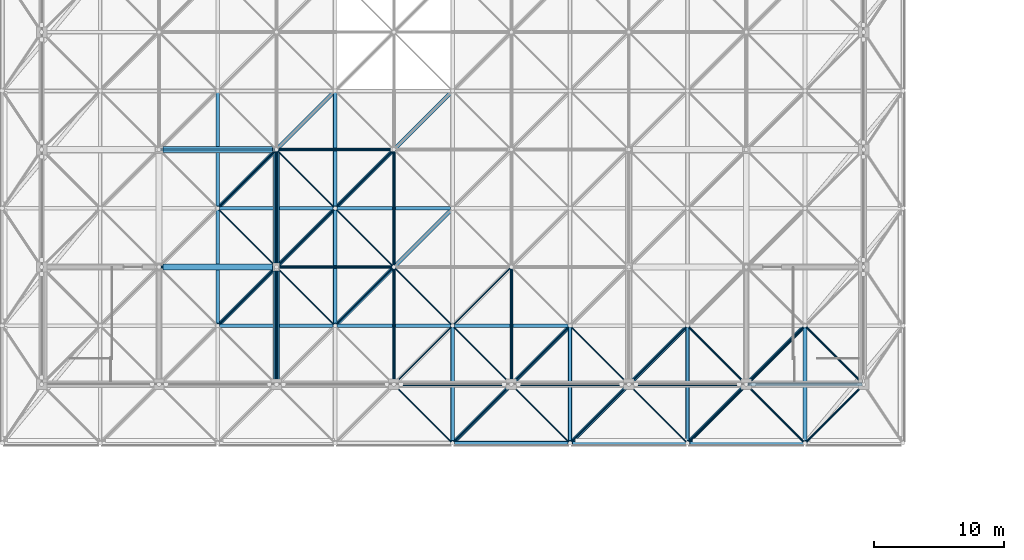
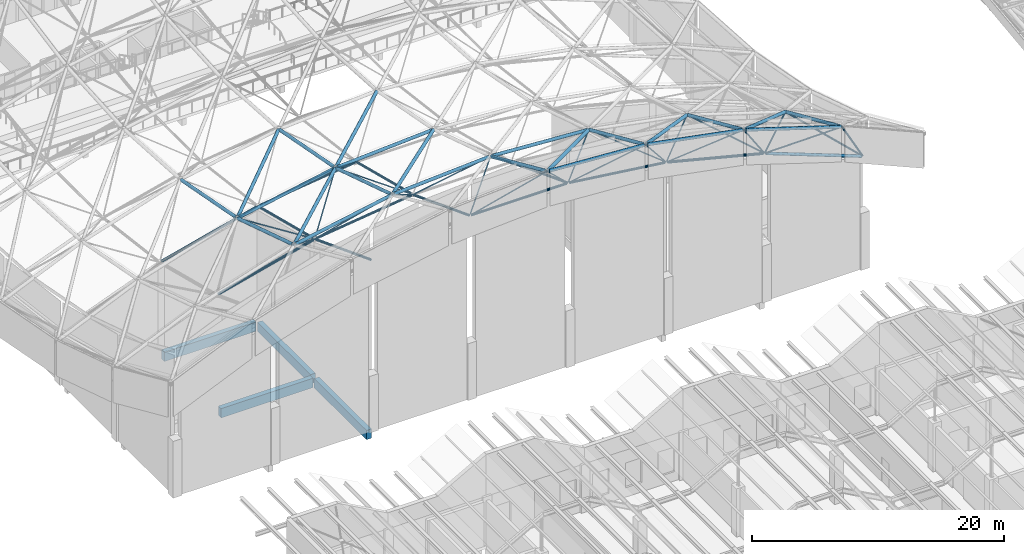
# One storey, part 71 of 437: 63 members, 4 beams.
"""IFC4 building model written with IfcOpenShell, lengths in metres."""

from ifc_helpers import new_model, si_unit, direction, frame, origin, origin_2d, place, context, subcontext, project, spatial, rectangle, hollow_circle, extrude, material, material_profile, profile_set, type_object, element, save


model = new_model("IFC4")

# Units and contexts
model_context = context("Model", 3, precision=1e-05, world=origin(), true_north=direction((0.0, 1.0)))
body_context = subcontext(model_context, "Body", "Model", "MODEL_VIEW")
ifc_project = project(units=[si_unit("LENGTHUNIT", "METRE"), si_unit("AREAUNIT", "SQUARE_METRE"), si_unit("VOLUMEUNIT", "CUBIC_METRE"), si_unit("PLANEANGLEUNIT", "RADIAN"), si_unit("MASSUNIT", "GRAM", prefix="KILO")], contexts=[model_context])

# Site, building, storey
site_placement = place(None, origin())
site = spatial("IfcSite", under=ifc_project, at=site_placement, CompositionType="ELEMENT")
building_placement = place(site_placement, origin())
building = spatial("IfcBuilding", under=site, at=building_placement, Name="Opaline Strait Convention Centre", CompositionType="ELEMENT")
storey_placement = place(building_placement, frame((0.0, 0.0, 11.5)))
storey = spatial("IfcBuildingStorey", under=building, at=storey_placement, Name="L02", CompositionType="ELEMENT", Elevation=11.5)

# Beams
ifc_material_1 = material(Name="Concrete C35", Category="concrete")
ifc_material_profile_1 = material_profile(ifc_material_1, rectangle(XDim=0.449951171875, YDim=0.89990234375, at=origin_2d()), Name="RC 450x900")
ifc_profile_set_1 = profile_set([ifc_material_profile_1], Name="Concrete C35")
beam_type = type_object("IfcBeamType", Name="RC floor beam 450x900 C35", PredefinedType="BEAM", material=ifc_profile_set_1)
beam_1_placement = place(storey_placement, frame((18.300048828125, 126.0, -0.72998046875), z_axis=(1.0, 0.0, 0.0), x_axis=(0.0, 1.0, 0.0)))
element("IfcBeam", 1, at=beam_1_placement, inside=storey, type_object=beam_type, Name="PFB1 L02 beam 3/Q-4/Q", PredefinedType="BEAM", context=body_context, shape_type="SweptSolid", body=[
    extrude(rectangle(XDim=0.449951171875, YDim=0.89990234375, at=origin_2d()), origin(), (0.0, 0.0, 1.0), 8.39990234375),
])
beam_2_placement = place(storey_placement, frame((27.0, 117.39990234375, -0.72998046875), z_axis=(0.0, 1.0, 0.0), x_axis=(-1.0, 0.0, 0.0)))
element("IfcBeam", 2, at=beam_2_placement, inside=storey, type_object=beam_type, Name="PFB1 L02 beam 4/P-4/Q", PredefinedType="BEAM", context=body_context, shape_type="SweptSolid", body=[
    extrude(rectangle(XDim=0.449951171875, YDim=0.89990234375, at=origin_2d()), origin(), (0.0, 0.0, 1.0), 8.300048828125),
])
for number, where, z_axis, x_axis, name in (
    (3, (27.0, 126.300048828125, -0.72998046875), (0.0, 1.0, 0.0), (-1.0, 0.0, 0.0), "PFB1 L02 beam 4/Q-4/R"),
    (4, (18.300048828125, 135.0, -0.72998046875), (1.0, 0.0, 0.0), (0.0, 1.0, 0.0), "PFB1 L02 beam 3/R-4/R"),
):
    element("IfcBeam", number, at=place(storey_placement, frame(where, z_axis=z_axis, x_axis=x_axis)), inside=storey, type_object=beam_type, Name=name, PredefinedType="BEAM", context=body_context, shape_type="SweptSolid", body=[
        extrude(rectangle(XDim=0.449951171875, YDim=0.89990234375, at=origin_2d()), origin(), (0.0, 0.0, 1.0), 8.39990234375),
    ])

# Members
ifc_material_2 = material(Name="Steel Q355B", Category="steel")
ifc_material_profile_2 = material_profile(ifc_material_2, hollow_circle(Radius=0.109619140625, WallThickness=0.008056640625, at=origin_2d()), Name="CHS 219x8")
ifc_profile_set_2 = profile_set([ifc_material_profile_2], Name="Steel Q355B")
member_type_1 = type_object("IfcMemberType", Name="Shell truss bottom chord CHS 219x8", PredefinedType="CHORD", material=ifc_profile_set_2)
member_1_placement = place(storey_placement, frame((36.14990234375, 117.0, 17.552001953125), z_axis=(1.0, 0.0, 0.0), x_axis=(0.0, 1.0, 0.0)))
element("IfcMember", 5, at=member_1_placement, inside=storey, type_object=member_type_1, Name="PBC3 bottom chord X4-1", PredefinedType="CHORD", context=body_context, shape_type="SweptSolid", body=[
    extrude(hollow_circle(Radius=0.109619140625, WallThickness=0.008056640625, at=origin_2d()), origin(), (0.0, 0.0, 1.0), 8.7001953125),
])
for number, where, z_axis, x_axis, name in (
    (6, (45.14990234375, 117.0, 17.533203125), (0.992030967972, 0.0, -0.125994279971), (0.0, 1.0, 0.0), "PBC3 bottom chord X5-1"),
    (7, (27.14990234375, 126.0, 12.999755859375), (0.992034447069, 0.0, 0.125966883853), (0.0, 1.0, 0.0), "PBC3 bottom chord X3-2"),
    (8, (27.14990234375, 135.0, 10.714111328125), (0.992034447069, 0.0, 0.125966883853), (0.0, 1.0, 0.0), "PBC3 bottom chord X3-3"),
):
    element("IfcMember", number, at=place(storey_placement, frame(where, z_axis=z_axis, x_axis=x_axis)), inside=storey, type_object=member_type_1, Name=name, PredefinedType="CHORD", context=body_context, shape_type="SweptSolid", body=[
        extrude(hollow_circle(Radius=0.109619140625, WallThickness=0.008056640625, at=origin_2d()), origin(), (0.0, 0.0, 1.0), 8.77001953125),
    ])
member_2_placement = place(storey_placement, frame((27.0, 117.14990234375, 16.35205078125), z_axis=(0.0, 0.934493135261, -0.355981151397), x_axis=(-1.0, 0.0, 0.0)))
element("IfcMember", 9, at=member_2_placement, inside=storey, type_object=member_type_1, Name="PBC3 bottom chord Y3-1", PredefinedType="CHORD", context=body_context, shape_type="SweptSolid", body=[
    extrude(hollow_circle(Radius=0.109619140625, WallThickness=0.008056640625, at=origin_2d()), origin(), (0.0, 0.0, 1.0), 9.31005859375),
])
member_3_placement = place(storey_placement, frame((27.0, 126.14990234375, 12.942626953125), z_axis=(0.0, 0.969233447146, -0.246143301624), x_axis=(-1.0, 0.0, 0.0)))
element("IfcMember", 10, at=member_3_placement, inside=storey, type_object=member_type_1, Name="PBC3 bottom chord Y3-2", PredefinedType="CHORD", context=body_context, shape_type="SweptSolid", body=[
    extrude(hollow_circle(Radius=0.109619140625, WallThickness=0.008056640625, at=origin_2d()), origin(), (0.0, 0.0, 1.0), 8.976318359375),
])
member_4_placement = place(storey_placement, frame((36.0, 117.14990234375, 17.4951171875), z_axis=(0.0, 0.934484411572, -0.356004051282), x_axis=(-1.0, 0.0, 0.0)))
element("IfcMember", 11, at=member_4_placement, inside=storey, type_object=member_type_1, Name="PBC3 bottom chord Y4-1", PredefinedType="CHORD", context=body_context, shape_type="SweptSolid", body=[
    extrude(hollow_circle(Radius=0.109619140625, WallThickness=0.008056640625, at=origin_2d()), origin(), (0.0, 0.0, 1.0), 9.31005859375),
])
member_5_placement = place(storey_placement, frame((36.0, 126.14990234375, 14.08544921875), z_axis=(0.0, 0.969233447146, -0.246143301624), x_axis=(-1.0, 0.0, 0.0)))
element("IfcMember", 12, at=member_5_placement, inside=storey, type_object=member_type_1, Name="PBC3 bottom chord Y4-2", PredefinedType="CHORD", context=body_context, shape_type="SweptSolid", body=[
    extrude(hollow_circle(Radius=0.109619140625, WallThickness=0.008056640625, at=origin_2d()), origin(), (0.0, 0.0, 1.0), 8.976318359375),
])
member_6_placement = place(storey_placement, frame((45.0, 117.14990234375, 17.4951171875), z_axis=(0.0, 0.934484411572, -0.356004051282), x_axis=(-1.0, 0.0, 0.0)))
element("IfcMember", 13, at=member_6_placement, inside=storey, type_object=member_type_1, Name="PBC3 bottom chord Y5-1", PredefinedType="CHORD", context=body_context, shape_type="SweptSolid", body=[
    extrude(hollow_circle(Radius=0.109619140625, WallThickness=0.008056640625, at=origin_2d()), origin(), (0.0, 0.0, 1.0), 9.31005859375),
])
ifc_material_profile_3 = material_profile(ifc_material_2, hollow_circle(Radius=0.12255859375, WallThickness=0.011962890625, at=origin_2d()), Name="CHS 245x12")
ifc_profile_set_3 = profile_set([ifc_material_profile_3], Name="Steel Q355B")
member_type_2 = type_object("IfcMemberType", Name="Shell truss bottom chord CHS 245x12", PredefinedType="CHORD", material=ifc_profile_set_3)
for number, where, z_axis, x_axis, name in (
    (14, (54.14990234375, 117.0, 16.37109375), (0.969233447146, 0.0, -0.246143301624), (0.0, 1.0, 0.0), "PBC2 bottom chord X6-1"),
    (15, (18.14990234375, 126.0, 10.733154296875), (0.969233447146, 0.0, 0.246143301624), (0.0, 1.0, 0.0), "PBC2 bottom chord X2-2"),
    (16, (18.14990234375, 135.0, 8.447509765625), (0.969233447146, 0.0, 0.246143301624), (0.0, 1.0, 0.0), "PBC2 bottom chord X2-3"),
):
    element("IfcMember", number, at=place(storey_placement, frame(where, z_axis=z_axis, x_axis=x_axis)), inside=storey, type_object=member_type_2, Name=name, PredefinedType="CHORD", context=body_context, shape_type="SweptSolid", body=[
        extrude(hollow_circle(Radius=0.12255859375, WallThickness=0.011962890625, at=origin_2d()), origin(), (0.0, 0.0, 1.0), 8.976318359375),
    ])
ifc_material_profile_4 = material_profile(ifc_material_2, hollow_circle(Radius=0.136474609375, WallThickness=0.011962890625, at=origin_2d()), Name="CHS 273x12")
ifc_profile_set_4 = profile_set([ifc_material_profile_4], Name="Steel Q355B")
member_type_3 = type_object("IfcMemberType", Name="Shell truss bottom chord CHS 273x12", PredefinedType="CHORD", material=ifc_profile_set_4)
member_7_placement = place(storey_placement, frame((63.14990234375, 117.0, 14.06640625), z_axis=(0.934493135261, 0.0, -0.355981151397), x_axis=(0.0, 1.0, 0.0)))
element("IfcMember", 17, at=member_7_placement, inside=storey, type_object=member_type_3, Name="PBC1 bottom chord X7-1", PredefinedType="CHORD", context=body_context, shape_type="SweptSolid", body=[
    extrude(hollow_circle(Radius=0.136474609375, WallThickness=0.011962890625, at=origin_2d()), origin(), (0.0, 0.0, 1.0), 9.31005859375),
])
ifc_material_profile_5 = material_profile(ifc_material_2, hollow_circle(Radius=0.1494140625, WallThickness=0.010009765625, at=origin_2d()), Name="CHS 299x10")
ifc_profile_set_5 = profile_set([ifc_material_profile_5], Name="Steel Q355B")
member_type_4 = type_object("IfcMemberType", Name="Shell truss top chord CHS 299x10", PredefinedType="CHORD", material=ifc_profile_set_5)
member_8_placement = place(storey_placement, frame((40.64990234375, 112.5, 22.978271484375), z_axis=(0.997991520688, 0.0, -0.063347649001), x_axis=(0.0, 1.0, 0.0)))
element("IfcMember", 18, at=member_8_placement, inside=storey, type_object=member_type_4, Name="PTC2 top chord X5-1", PredefinedType="CHORD", context=body_context, shape_type="SweptSolid", body=[
    extrude(hollow_circle(Radius=0.1494140625, WallThickness=0.010009765625, at=origin_2d()), origin(), (0.0, 0.0, 1.0), 8.7177734375),
])
for number, where, z_axis, x_axis, name in (
    (19, (49.64990234375, 112.5, 22.387939453125), (0.982337601302, 0.0, -0.187117174701), (0.0, 1.0, 0.0), "PTC2 top chord X6-1"),
    (20, (22.64990234375, 121.5, 16.730712890625), (0.982337601302, 0.0, 0.187117174701), (0.0, 1.0, 0.0), "PTC2 top chord X3-2"),
):
    element("IfcMember", number, at=place(storey_placement, frame(where, z_axis=z_axis, x_axis=x_axis)), inside=storey, type_object=member_type_4, Name=name, PredefinedType="CHORD", context=body_context, shape_type="SweptSolid", body=[
        extrude(hollow_circle(Radius=0.1494140625, WallThickness=0.010009765625, at=origin_2d()), origin(), (0.0, 0.0, 1.0), 8.856689453125),
    ])
for number, where, z_axis, x_axis, name in (
    (21, (31.64990234375, 121.5, 18.426025390625), (0.997991520688, 0.0, 0.063347649001), (0.0, 1.0, 0.0), "PTC2 top chord X4-2"),
    (22, (40.64990234375, 121.5, 18.978271484375), (0.997991520688, 0.0, -0.063347649001), (0.0, 1.0, 0.0), "PTC2 top chord X5-2"),
):
    element("IfcMember", number, at=place(storey_placement, frame(where, z_axis=z_axis, x_axis=x_axis)), inside=storey, type_object=member_type_4, Name=name, PredefinedType="CHORD", context=body_context, shape_type="SweptSolid", body=[
        extrude(hollow_circle(Radius=0.1494140625, WallThickness=0.010009765625, at=origin_2d()), origin(), (0.0, 0.0, 1.0), 8.7177734375),
    ])
member_9_placement = place(storey_placement, frame((22.64990234375, 130.5, 13.87353515625), z_axis=(0.982337601302, 0.0, 0.187117174701), x_axis=(0.0, 1.0, 0.0)))
element("IfcMember", 23, at=member_9_placement, inside=storey, type_object=member_type_4, Name="PTC2 top chord X3-3", PredefinedType="CHORD", context=body_context, shape_type="SweptSolid", body=[
    extrude(hollow_circle(Radius=0.1494140625, WallThickness=0.010009765625, at=origin_2d()), origin(), (0.0, 0.0, 1.0), 8.856689453125),
])
member_10_placement = place(storey_placement, frame((31.64990234375, 130.5, 15.56884765625), z_axis=(0.997991520688, 0.0, 0.063347649001), x_axis=(0.0, 1.0, 0.0)))
element("IfcMember", 24, at=member_10_placement, inside=storey, type_object=member_type_4, Name="PTC2 top chord X4-3", PredefinedType="CHORD", context=body_context, shape_type="SweptSolid", body=[
    extrude(hollow_circle(Radius=0.1494140625, WallThickness=0.010009765625, at=origin_2d()), origin(), (0.0, 0.0, 1.0), 8.7177734375),
])
member_11_placement = place(storey_placement, frame((31.5, 121.64990234375, 18.368896484375), z_axis=(0.0, 0.95312438958, -0.302578746754), x_axis=(-1.0, 0.0, 0.0)))
element("IfcMember", 25, at=member_11_placement, inside=storey, type_object=member_type_4, Name="PTC2 top chord Y4-2", PredefinedType="CHORD", context=body_context, shape_type="SweptSolid", body=[
    extrude(hollow_circle(Radius=0.1494140625, WallThickness=0.010009765625, at=origin_2d()), origin(), (0.0, 0.0, 1.0), 9.128173828125),
])
member_12_placement = place(storey_placement, frame((31.5, 130.64990234375, 15.53076171875), z_axis=(0.0, 0.982337601302, -0.187117174701), x_axis=(-1.0, 0.0, 0.0)))
element("IfcMember", 26, at=member_12_placement, inside=storey, type_object=member_type_4, Name="PTC2 top chord Y4-3", PredefinedType="CHORD", context=body_context, shape_type="SweptSolid", body=[
    extrude(hollow_circle(Radius=0.1494140625, WallThickness=0.010009765625, at=origin_2d()), origin(), (0.0, 0.0, 1.0), 8.856689453125),
])
for number, where, z_axis, x_axis, name in (
    (27, (40.5, 112.64990234375, 22.921142578125), (0.0, 0.913813663494, -0.406133707555), (-1.0, 0.0, 0.0), "PTC2 top chord Y5-1"),
    (28, (49.5, 112.64990234375, 22.349853515625), (0.0, 0.913813663494, -0.406133707555), (-1.0, 0.0, 0.0), "PTC2 top chord Y6-1"),
):
    element("IfcMember", number, at=place(storey_placement, frame(where, z_axis=z_axis, x_axis=x_axis)), inside=storey, type_object=member_type_4, Name=name, PredefinedType="CHORD", context=body_context, shape_type="SweptSolid", body=[
        extrude(hollow_circle(Radius=0.1494140625, WallThickness=0.010009765625, at=origin_2d()), origin(), (0.0, 0.0, 1.0), 9.520751953125),
    ])
member_13_placement = place(storey_placement, frame((22.606201171875, 121.606201171875, 16.688720703125), z_axis=(0.704272973434, 0.704272973434, -0.089438010823), x_axis=(-0.707106781187, 0.707106781187, 0.0)))
element("IfcMember", 29, at=member_13_placement, inside=storey, type_object=member_type_4, Name="PTC2 top chord D3-2", PredefinedType="CHORD", context=body_context, shape_type="SweptSolid", body=[
    extrude(hollow_circle(Radius=0.1494140625, WallThickness=0.010009765625, at=origin_2d()), origin(), (0.0, 0.0, 1.0), 12.4775390625),
])
member_14_placement = place(storey_placement, frame((22.606201171875, 130.606201171875, 13.844970703125), z_axis=(0.707106781187, 0.707106781187, 0.0), x_axis=(-0.707106781187, 0.707106781187, 0.0)))
element("IfcMember", 30, at=member_14_placement, inside=storey, type_object=member_type_4, Name="PTC2 top chord D3-3", PredefinedType="CHORD", context=body_context, shape_type="SweptSolid", body=[
    extrude(hollow_circle(Radius=0.1494140625, WallThickness=0.010009765625, at=origin_2d()), origin(), (0.0, 0.0, 1.0), 12.427490234375),
])
member_15_placement = place(storey_placement, frame((31.606201171875, 121.606201171875, 18.389404296875), z_axis=(0.695974078103, 0.695974078103, -0.176748876144), x_axis=(-0.707106781187, 0.707106781187, 0.0)))
element("IfcMember", 31, at=member_15_placement, inside=storey, type_object=member_type_4, Name="PTC2 top chord D4-2", PredefinedType="CHORD", context=body_context, shape_type="SweptSolid", body=[
    extrude(hollow_circle(Radius=0.1494140625, WallThickness=0.010009765625, at=origin_2d()), origin(), (0.0, 0.0, 1.0), 12.626220703125),
])
member_16_placement = place(storey_placement, frame((31.606201171875, 130.606201171875, 15.5458984375), z_axis=(0.704272973434, 0.704272973434, -0.089438010823), x_axis=(-0.707106781187, 0.707106781187, 0.0)))
element("IfcMember", 32, at=member_16_placement, inside=storey, type_object=member_type_4, Name="PTC2 top chord D4-3", PredefinedType="CHORD", context=body_context, shape_type="SweptSolid", body=[
    extrude(hollow_circle(Radius=0.1494140625, WallThickness=0.010009765625, at=origin_2d()), origin(), (0.0, 0.0, 1.0), 12.4775390625),
])
member_17_placement = place(storey_placement, frame((40.606201171875, 112.606201171875, 22.93408203125), z_axis=(0.665479161371, 0.665479161371, -0.338045812816), x_axis=(-0.707106781187, 0.707106781187, 0.0)))
element("IfcMember", 33, at=member_17_placement, inside=storey, type_object=member_type_4, Name="PTC2 top chord D5-1", PredefinedType="CHORD", context=body_context, shape_type="SweptSolid", body=[
    extrude(hollow_circle(Radius=0.1494140625, WallThickness=0.010009765625, at=origin_2d()), origin(), (0.0, 0.0, 1.0), 13.204833984375),
])
member_18_placement = place(storey_placement, frame((49.606201171875, 112.606201171875, 22.34912109375), z_axis=(0.64507433768, 0.64507433768, -0.409582955863), x_axis=(-0.707106781187, 0.707106781187, 0.0)))
element("IfcMember", 34, at=member_18_placement, inside=storey, type_object=member_type_4, Name="PTC2 top chord D6-1", PredefinedType="CHORD", context=body_context, shape_type="SweptSolid", body=[
    extrude(hollow_circle(Radius=0.1494140625, WallThickness=0.010009765625, at=origin_2d()), origin(), (0.0, 0.0, 1.0), 13.62255859375),
])
ifc_material_profile_6 = material_profile(ifc_material_2, hollow_circle(Radius=0.1494140625, WallThickness=0.01611328125, at=origin_2d()), Name="CHS 299x16")
ifc_profile_set_6 = profile_set([ifc_material_profile_6], Name="Steel Q355B")
member_type_5 = type_object("IfcMemberType", Name="Shell truss top chord CHS 299x16", PredefinedType="CHORD", material=ifc_profile_set_6)
for number, where, z_axis, x_axis, name in (
    (35, (58.64990234375, 112.5, 20.654541015625), (0.95312438958, 0.0, -0.302578746754), (0.0, 1.0, 0.0), "PTC1 top chord X7-1"),
    (36, (22.5, 121.64990234375, 16.654541015625), (0.0, 0.95312438958, -0.302578746754), (-1.0, 0.0, 0.0), "PTC1 top chord Y3-2"),
):
    element("IfcMember", number, at=place(storey_placement, frame(where, z_axis=z_axis, x_axis=x_axis)), inside=storey, type_object=member_type_5, Name=name, PredefinedType="CHORD", context=body_context, shape_type="SweptSolid", body=[
        extrude(hollow_circle(Radius=0.1494140625, WallThickness=0.01611328125, at=origin_2d()), origin(), (0.0, 0.0, 1.0), 9.128173828125),
    ])
member_19_placement = place(storey_placement, frame((22.5, 130.64990234375, 13.81640625), z_axis=(0.0, 0.982337601302, -0.187117174701), x_axis=(-1.0, 0.0, 0.0)))
element("IfcMember", 37, at=member_19_placement, inside=storey, type_object=member_type_5, Name="PTC1 top chord Y3-3", PredefinedType="CHORD", context=body_context, shape_type="SweptSolid", body=[
    extrude(hollow_circle(Radius=0.1494140625, WallThickness=0.01611328125, at=origin_2d()), origin(), (0.0, 0.0, 1.0), 8.856689453125),
])
for number, where, z_axis, x_axis, name in (
    (38, (58.5, 112.64990234375, 20.635498046875), (0.0, 0.913813663494, -0.406133707555), (-1.0, 0.0, 0.0), "PTC1 top chord Y7-1"),
    (39, (67.5, 112.64990234375, 17.7783203125), (0.0, 0.913813663494, -0.406133707555), (-1.0, 0.0, 0.0), "PTC1 top chord Y8-1"),
):
    element("IfcMember", number, at=place(storey_placement, frame(where, z_axis=z_axis, x_axis=x_axis)), inside=storey, type_object=member_type_5, Name=name, PredefinedType="CHORD", context=body_context, shape_type="SweptSolid", body=[
        extrude(hollow_circle(Radius=0.1494140625, WallThickness=0.01611328125, at=origin_2d()), origin(), (0.0, 0.0, 1.0), 9.520751953125),
    ])
member_20_placement = place(storey_placement, frame((58.606201171875, 112.606201171875, 20.621337890625), z_axis=(0.622507518632, 0.622507518632, -0.474308737525), x_axis=(-0.707106781187, 0.707106781187, 0.0)))
element("IfcMember", 40, at=member_20_placement, inside=storey, type_object=member_type_5, Name="PTC1 top chord D7-1", PredefinedType="CHORD", context=body_context, shape_type="SweptSolid", body=[
    extrude(hollow_circle(Radius=0.1494140625, WallThickness=0.01611328125, at=origin_2d()), origin(), (0.0, 0.0, 1.0), 14.116455078125),
])
ifc_material_profile_7 = material_profile(ifc_material_2, hollow_circle(Radius=0.056884765625, WallThickness=0.006103515625, at=origin_2d()), Name="CHS 114x6")
ifc_profile_set_7 = profile_set([ifc_material_profile_7], Name="Steel Q355B")
member_type_6 = type_object("IfcMemberType", Name="Shell truss web CHS 114x6", PredefinedType="BRACE", material=ifc_profile_set_7)
member_21_placement = place(storey_placement, frame((26.893798828125, 125.893798828125, 13.068359375), z_axis=(-0.610386818671, -0.610386818671, 0.504832510033), x_axis=(0.707106781187, -0.707106781187, 0.0)))
element("IfcMember", 41, at=member_21_placement, inside=storey, type_object=member_type_6, Name="PWB3 web 3-2ac", PredefinedType="BRACE", context=body_context, shape_type="SweptSolid", body=[
    extrude(hollow_circle(Radius=0.056884765625, WallThickness=0.006103515625, at=origin_2d()), origin(), (0.0, 0.0, 1.0), 7.0244140625),
])
member_22_placement = place(storey_placement, frame((26.893798828125, 126.106201171875, 13.001220703125), z_axis=(-0.700674687609, 0.700674687609, 0.134573267356), x_axis=(-0.707106781187, -0.707106781187, 0.0)))
element("IfcMember", 42, at=member_22_placement, inside=storey, type_object=member_type_6, Name="PWB3 web 3-2ad", PredefinedType="BRACE", context=body_context, shape_type="SweptSolid", body=[
    extrude(hollow_circle(Radius=0.056884765625, WallThickness=0.006103515625, at=origin_2d()), origin(), (0.0, 0.0, 1.0), 6.119140625),
])
member_23_placement = place(storey_placement, frame((27.106201171875, 125.893798828125, 13.10888671875), z_axis=(0.537659406453, -0.537659406453, 0.649495746949), x_axis=(0.707106781187, 0.707106781187, 0.0)))
element("IfcMember", 43, at=member_23_placement, inside=storey, type_object=member_type_6, Name="PWB3 web 3-2bc", PredefinedType="BRACE", context=body_context, shape_type="SweptSolid", body=[
    extrude(hollow_circle(Radius=0.056884765625, WallThickness=0.006103515625, at=origin_2d()), origin(), (0.0, 0.0, 1.0), 7.974609375),
])
member_24_placement = place(storey_placement, frame((27.106201171875, 126.106201171875, 13.04150390625), z_axis=(0.655347879398, 0.655347879398, 0.375550680917), x_axis=(-0.707106781187, 0.707106781187, 0.0)))
element("IfcMember", 44, at=member_24_placement, inside=storey, type_object=member_type_6, Name="PWB3 web 3-2bd", PredefinedType="BRACE", context=body_context, shape_type="SweptSolid", body=[
    extrude(hollow_circle(Radius=0.056884765625, WallThickness=0.006103515625, at=origin_2d()), origin(), (0.0, 0.0, 1.0), 6.54248046875),
])
member_25_placement = place(storey_placement, frame((26.893798828125, 134.893798828125, 10.769287109375), z_axis=(-0.633718163842, -0.633718163842, 0.443624365464), x_axis=(0.707106781187, -0.707106781187, 0.0)))
element("IfcMember", 45, at=member_25_placement, inside=storey, type_object=member_type_6, Name="PWB3 web 3-3ac", PredefinedType="BRACE", context=body_context, shape_type="SweptSolid", body=[
    extrude(hollow_circle(Radius=0.056884765625, WallThickness=0.006103515625, at=origin_2d()), origin(), (0.0, 0.0, 1.0), 6.765869140625),
])
member_26_placement = place(storey_placement, frame((27.106201171875, 134.893798828125, 10.809814453125), z_axis=(0.56178917646, -0.56178917646, 0.607277401544), x_axis=(0.707106781187, 0.707106781187, 0.0)))
element("IfcMember", 46, at=member_26_placement, inside=storey, type_object=member_type_6, Name="PWB3 web 3-3bc", PredefinedType="BRACE", context=body_context, shape_type="SweptSolid", body=[
    extrude(hollow_circle(Radius=0.056884765625, WallThickness=0.006103515625, at=origin_2d()), origin(), (0.0, 0.0, 1.0), 7.632080078125),
])
member_27_placement = place(storey_placement, frame((36.106201171875, 116.893798828125, 17.680419921875), z_axis=(0.537670097484, -0.537670097484, 0.649478046237), x_axis=(0.707106781187, 0.707106781187, 0.0)))
element("IfcMember", 47, at=member_27_placement, inside=storey, type_object=member_type_6, Name="PWB3 web 4-1bc", PredefinedType="BRACE", context=body_context, shape_type="SweptSolid", body=[
    extrude(hollow_circle(Radius=0.056884765625, WallThickness=0.006103515625, at=origin_2d()), origin(), (0.0, 0.0, 1.0), 7.974365234375),
])
member_28_placement = place(storey_placement, frame((36.106201171875, 117.106201171875, 17.5859375), z_axis=(0.689766139831, 0.689766139831, 0.220103031979), x_axis=(-0.707106781187, 0.707106781187, 0.0)))
element("IfcMember", 48, at=member_28_placement, inside=storey, type_object=member_type_6, Name="PWB3 web 4-1bd", PredefinedType="BRACE", context=body_context, shape_type="SweptSolid", body=[
    extrude(hollow_circle(Radius=0.056884765625, WallThickness=0.006103515625, at=origin_2d()), origin(), (0.0, 0.0, 1.0), 6.216064453125),
])
member_29_placement = place(storey_placement, frame((35.893798828125, 125.893798828125, 14.224853515625), z_axis=(-0.586200317653, -0.586200317653, 0.559230162963), x_axis=(0.707106781187, -0.707106781187, 0.0)))
element("IfcMember", 49, at=member_29_placement, inside=storey, type_object=member_type_6, Name="PWB3 web 4-2ac", PredefinedType="BRACE", context=body_context, shape_type="SweptSolid", body=[
    extrude(hollow_circle(Radius=0.056884765625, WallThickness=0.006103515625, at=origin_2d()), origin(), (0.0, 0.0, 1.0), 7.314208984375),
])
member_30_placement = place(storey_placement, frame((35.893798828125, 126.106201171875, 14.157470703125), z_axis=(-0.689772102252, 0.689772102252, 0.220065658178), x_axis=(-0.707106781187, -0.707106781187, 0.0)))
element("IfcMember", 50, at=member_30_placement, inside=storey, type_object=member_type_6, Name="PWB3 web 4-2ad", PredefinedType="BRACE", context=body_context, shape_type="SweptSolid", body=[
    extrude(hollow_circle(Radius=0.056884765625, WallThickness=0.006103515625, at=origin_2d()), origin(), (0.0, 0.0, 1.0), 6.216064453125),
])
member_31_placement = place(storey_placement, frame((36.106201171875, 125.893798828125, 14.23828125), z_axis=(0.561778263095, -0.561778263095, 0.607297592806), x_axis=(0.707106781187, 0.707106781187, 0.0)))
element("IfcMember", 51, at=member_31_placement, inside=storey, type_object=member_type_6, Name="PWB3 web 4-2bc", PredefinedType="BRACE", context=body_context, shape_type="SweptSolid", body=[
    extrude(hollow_circle(Radius=0.056884765625, WallThickness=0.006103515625, at=origin_2d()), origin(), (0.0, 0.0, 1.0), 7.632080078125),
])
member_32_placement = place(storey_placement, frame((35.893798828125, 134.893798828125, 11.925537109375), z_axis=(-0.610386818671, -0.610386818671, 0.504832510033), x_axis=(0.707106781187, -0.707106781187, 0.0)))
element("IfcMember", 52, at=member_32_placement, inside=storey, type_object=member_type_6, Name="PWB3 web 4-3ac", PredefinedType="BRACE", context=body_context, shape_type="SweptSolid", body=[
    extrude(hollow_circle(Radius=0.056884765625, WallThickness=0.006103515625, at=origin_2d()), origin(), (0.0, 0.0, 1.0), 7.0244140625),
])
member_33_placement = place(storey_placement, frame((44.893798828125, 116.893798828125, 17.680419921875), z_axis=(-0.537670097484, -0.537670097484, 0.649478046237), x_axis=(0.707106781187, -0.707106781187, 0.0)))
element("IfcMember", 53, at=member_33_placement, inside=storey, type_object=member_type_6, Name="PWB3 web 5-1ac", PredefinedType="BRACE", context=body_context, shape_type="SweptSolid", body=[
    extrude(hollow_circle(Radius=0.056884765625, WallThickness=0.006103515625, at=origin_2d()), origin(), (0.0, 0.0, 1.0), 7.974365234375),
])
member_34_placement = place(storey_placement, frame((44.893798828125, 117.106201171875, 17.5859375), z_axis=(-0.689766139831, 0.689766139831, 0.220103031979), x_axis=(-0.707106781187, -0.707106781187, 0.0)))
element("IfcMember", 54, at=member_34_placement, inside=storey, type_object=member_type_6, Name="PWB3 web 5-1ad", PredefinedType="BRACE", context=body_context, shape_type="SweptSolid", body=[
    extrude(hollow_circle(Radius=0.056884765625, WallThickness=0.006103515625, at=origin_2d()), origin(), (0.0, 0.0, 1.0), 6.216064453125),
])
member_35_placement = place(storey_placement, frame((45.106201171875, 116.893798828125, 17.666748046875), z_axis=(0.561778263095, -0.561778263095, 0.607297592806), x_axis=(0.707106781187, 0.707106781187, 0.0)))
element("IfcMember", 55, at=member_35_placement, inside=storey, type_object=member_type_6, Name="PWB3 web 5-1bc", PredefinedType="BRACE", context=body_context, shape_type="SweptSolid", body=[
    extrude(hollow_circle(Radius=0.056884765625, WallThickness=0.006103515625, at=origin_2d()), origin(), (0.0, 0.0, 1.0), 7.632080078125),
])
member_36_placement = place(storey_placement, frame((45.106201171875, 117.106201171875, 17.572509765625), z_axis=(0.700674687609, 0.700674687609, 0.134573267356), x_axis=(-0.707106781187, 0.707106781187, 0.0)))
element("IfcMember", 56, at=member_36_placement, inside=storey, type_object=member_type_6, Name="PWB3 web 5-1bd", PredefinedType="BRACE", context=body_context, shape_type="SweptSolid", body=[
    extrude(hollow_circle(Radius=0.056884765625, WallThickness=0.006103515625, at=origin_2d()), origin(), (0.0, 0.0, 1.0), 6.119140625),
])
member_37_placement = place(storey_placement, frame((44.893798828125, 125.893798828125, 14.23828125), z_axis=(-0.561778263095, -0.561778263095, 0.607297592806), x_axis=(0.707106781187, -0.707106781187, 0.0)))
element("IfcMember", 57, at=member_37_placement, inside=storey, type_object=member_type_6, Name="PWB3 web 5-2ac", PredefinedType="BRACE", context=body_context, shape_type="SweptSolid", body=[
    extrude(hollow_circle(Radius=0.056884765625, WallThickness=0.006103515625, at=origin_2d()), origin(), (0.0, 0.0, 1.0), 7.632080078125),
])
member_38_placement = place(storey_placement, frame((53.893798828125, 116.893798828125, 16.55078125), z_axis=(-0.514185644743, -0.514185644743, 0.686459208897), x_axis=(0.707106781187, -0.707106781187, 0.0)))
element("IfcMember", 58, at=member_38_placement, inside=storey, type_object=member_type_6, Name="PWB3 web 6-1ac", PredefinedType="BRACE", context=body_context, shape_type="SweptSolid", body=[
    extrude(hollow_circle(Radius=0.056884765625, WallThickness=0.006103515625, at=origin_2d()), origin(), (0.0, 0.0, 1.0), 8.338623046875),
])
member_39_placement = place(storey_placement, frame((53.893798828125, 117.106201171875, 16.45654296875), z_axis=(-0.674355522785, 0.674355522785, 0.300814324422), x_axis=(-0.707106781187, -0.707106781187, 0.0)))
element("IfcMember", 59, at=member_39_placement, inside=storey, type_object=member_type_6, Name="PWB3 web 6-1ad", PredefinedType="BRACE", context=body_context, shape_type="SweptSolid", body=[
    extrude(hollow_circle(Radius=0.056884765625, WallThickness=0.006103515625, at=origin_2d()), origin(), (0.0, 0.0, 1.0), 6.358154296875),
])
member_40_placement = place(storey_placement, frame((54.106201171875, 116.893798828125, 16.510498046875), z_axis=(0.58618937533, -0.58618937533, 0.559253102361), x_axis=(0.707106781187, 0.707106781187, 0.0)))
element("IfcMember", 60, at=member_40_placement, inside=storey, type_object=member_type_6, Name="PWB3 web 6-1bc", PredefinedType="BRACE", context=body_context, shape_type="SweptSolid", body=[
    extrude(hollow_circle(Radius=0.056884765625, WallThickness=0.006103515625, at=origin_2d()), origin(), (0.0, 0.0, 1.0), 7.314453125),
])
member_41_placement = place(storey_placement, frame((54.106201171875, 117.106201171875, 16.416259765625), z_axis=(0.706359162176, 0.706359162176, 0.045972470241), x_axis=(-0.707106781187, 0.707106781187, 0.0)))
element("IfcMember", 61, at=member_41_placement, inside=storey, type_object=member_type_6, Name="PWB3 web 6-1bd", PredefinedType="BRACE", context=body_context, shape_type="SweptSolid", body=[
    extrude(hollow_circle(Radius=0.056884765625, WallThickness=0.006103515625, at=origin_2d()), origin(), (0.0, 0.0, 1.0), 6.070068359375),
])
ifc_material_profile_8 = material_profile(ifc_material_2, hollow_circle(Radius=0.070068359375, WallThickness=0.008056640625, at=origin_2d()), Name="CHS 140x8")
ifc_profile_set_8 = profile_set([ifc_material_profile_8], Name="Steel Q355B")
member_type_7 = type_object("IfcMemberType", Name="Shell truss web CHS 140x8", PredefinedType="BRACE", material=ifc_profile_set_8)
member_42_placement = place(storey_placement, frame((62.8974609375, 116.8974609375, 14.273681640625), z_axis=(-0.491659576152, -0.491659576152, 0.718708370869), x_axis=(0.707106781187, -0.707106781187, 0.0)))
element("IfcMember", 62, at=member_42_placement, inside=storey, type_object=member_type_7, Name="PWB2 web 7-1ac", PredefinedType="BRACE", context=body_context, shape_type="SweptSolid", body=[
    extrude(hollow_circle(Radius=0.070068359375, WallThickness=0.008056640625, at=origin_2d()), origin(), (0.0, 0.0, 1.0), 8.735595703125),
])
member_43_placement = place(storey_placement, frame((62.893798828125, 117.106201171875, 14.184326171875), z_axis=(-0.655347879398, 0.655347879398, 0.375550680917), x_axis=(-0.707106781187, -0.707106781187, 0.0)))
element("IfcMember", 63, at=member_43_placement, inside=storey, type_object=member_type_7, Name="PWB2 web 7-1ad", PredefinedType="BRACE", context=body_context, shape_type="SweptSolid", body=[
    extrude(hollow_circle(Radius=0.070068359375, WallThickness=0.008056640625, at=origin_2d()), origin(), (0.0, 0.0, 1.0), 6.54248046875),
])
member_44_placement = place(storey_placement, frame((63.106201171875, 116.893798828125, 14.211181640625), z_axis=(0.610386818671, -0.610386818671, 0.504832510033), x_axis=(0.707106781187, 0.707106781187, 0.0)))
element("IfcMember", 64, at=member_44_placement, inside=storey, type_object=member_type_7, Name="PWB2 web 7-1bc", PredefinedType="BRACE", context=body_context, shape_type="SweptSolid", body=[
    extrude(hollow_circle(Radius=0.070068359375, WallThickness=0.008056640625, at=origin_2d()), origin(), (0.0, 0.0, 1.0), 7.0244140625),
])
member_45_placement = place(storey_placement, frame((63.106201171875, 117.106201171875, 14.116943359375), z_axis=(0.706430522614, 0.706430522614, -0.043724517599), x_axis=(-0.707106781187, 0.707106781187, 0.0)))
element("IfcMember", 65, at=member_45_placement, inside=storey, type_object=member_type_7, Name="PWB2 web 7-1bd", PredefinedType="BRACE", context=body_context, shape_type="SweptSolid", body=[
    extrude(hollow_circle(Radius=0.070068359375, WallThickness=0.008056640625, at=origin_2d()), origin(), (0.0, 0.0, 1.0), 6.0693359375),
])
ifc_material_profile_9 = material_profile(ifc_material_2, hollow_circle(Radius=0.083984375, WallThickness=0.010009765625, at=origin_2d()), Name="CHS 168x10")
ifc_profile_set_9 = profile_set([ifc_material_profile_9], Name="Steel Q355B")
member_type_8 = type_object("IfcMemberType", Name="Shell truss web CHS 168x10", PredefinedType="BRACE", material=ifc_profile_set_9)
member_46_placement = place(storey_placement, frame((71.905517578125, 116.905517578125, 10.844970703125), z_axis=(-0.470109852598, -0.470109852598, 0.746989593623), x_axis=(0.707106781187, -0.707106781187, 0.0)))
element("IfcMember", 66, at=member_46_placement, inside=storey, type_object=member_type_8, Name="PWB1 web 8-1ac", PredefinedType="BRACE", context=body_context, shape_type="SweptSolid", body=[
    extrude(hollow_circle(Radius=0.083984375, WallThickness=0.010009765625, at=origin_2d()), origin(), (0.0, 0.0, 1.0), 9.170166015625),
])
member_47_placement = place(storey_placement, frame((71.893798828125, 117.106201171875, 10.769287109375), z_axis=(-0.633718163842, 0.633718163842, 0.443624365464), x_axis=(-0.707106781187, -0.707106781187, 0.0)))
element("IfcMember", 67, at=member_47_placement, inside=storey, type_object=member_type_8, Name="PWB1 web 8-1ad", PredefinedType="BRACE", context=body_context, shape_type="SweptSolid", body=[
    extrude(hollow_circle(Radius=0.083984375, WallThickness=0.010009765625, at=origin_2d()), origin(), (0.0, 0.0, 1.0), 6.765869140625),
])

save(model, "model.ifc")
